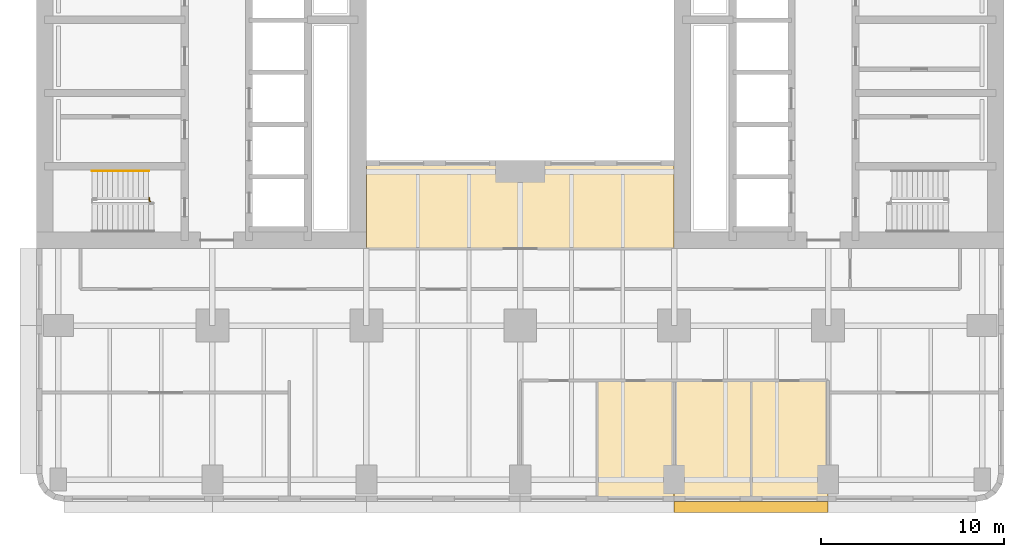
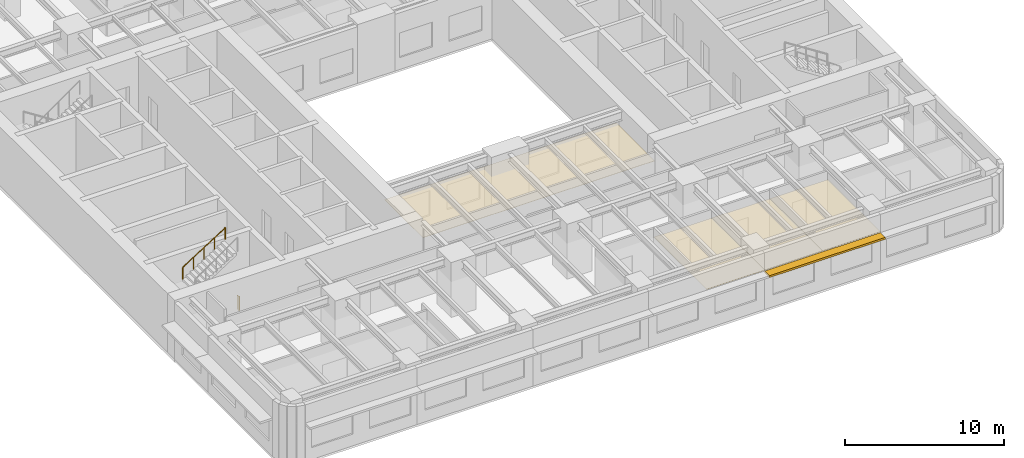
# One storey, part 10 of 14: 4 coverings, 2 railings, 1 shading device.
"""IFC4 building model written with IfcOpenShell, lengths in metres."""

from ifc_helpers import new_model, si_unit, direction, frame, origin, origin_2d, place, context, subcontext, project, spatial, polyline, rectangle, circle, outline, extrude, material, layer, layer_set, type_object, element, save


model = new_model("IFC4")

# Units and contexts
model_context = context("Model", 3, precision=1e-05, world=origin(), true_north=direction((0.0, 1.0)))
body_context = subcontext(model_context, "Body", "Model", "MODEL_VIEW")
ifc_project = project(units=[si_unit("LENGTHUNIT", "METRE"), si_unit("AREAUNIT", "SQUARE_METRE"), si_unit("VOLUMEUNIT", "CUBIC_METRE"), si_unit("PLANEANGLEUNIT", "RADIAN"), si_unit("MASSUNIT", "GRAM", prefix="KILO")], contexts=[model_context])

# Site, building, storey
site_placement = place(None, origin())
site = spatial("IfcSite", under=ifc_project, at=site_placement, CompositionType="ELEMENT")
building_placement = place(site_placement, origin())
building = spatial("IfcBuilding", under=site, at=building_placement, Name="Claustro Exchange Tower", CompositionType="ELEMENT")
storey_placement = place(building_placement, frame((0.0, 0.0, 36.89990234375)))
storey = spatial("IfcBuildingStorey", under=building, at=storey_placement, Name="L08", CompositionType="ELEMENT", Elevation=36.89990234375)

# Coverings
ifc_material_1 = material(Name="Gypsum board ceiling", Category="gypsum board")
ifc_layer_1 = layer(ifc_material_1, 0.02490234375)
ifc_layer_set_1 = layer_set([ifc_layer_1], Name="Gypsum board ceiling")
covering_type = type_object("IfcCoveringType", Name="CL2 plasterboard ceiling", PredefinedType="CEILING", material=ifc_layer_set_1)
covering_1_placement = place(storey_placement, frame((0.0, 0.0, 3.0)))
element("IfcCovering", 1, at=covering_1_placement, inside=storey, type_object=covering_type, Name="Ceiling CL2 L08-04", PredefinedType="CEILING", context=body_context, shape_type="SweptSolid", body=[
    extrude(outline(polyline([(29.39990234375, -1.199951171875), (33.60009765625, -1.199951171875), (33.60009765625, 5.39990234375), (29.39990234375, 5.39990234375), (29.39990234375, -1.199951171875)])), origin(), (0.0, 0.0, 1.0), 0.025146484375),
])
covering_2_placement = place(storey_placement, frame((0.0, 0.0, 3.0)))
element("IfcCovering", 2, at=covering_2_placement, inside=storey, type_object=covering_type, Name="Ceiling CL2 L08-05", PredefinedType="CEILING", context=body_context, shape_type="SweptSolid", body=[
    extrude(outline(polyline([(33.60009765625, -1.199951171875), (37.800048828125, -1.199951171875), (37.800048828125, 5.39990234375), (33.60009765625, 5.39990234375), (33.60009765625, -1.199951171875)])), origin(), (0.0, 0.0, 1.0), 0.025146484375),
])
covering_3_placement = place(storey_placement, frame((0.0, 0.0, 3.0)))
element("IfcCovering", 3, at=covering_3_placement, inside=storey, type_object=covering_type, Name="Ceiling CL2 L08-06", PredefinedType="CEILING", context=body_context, shape_type="SweptSolid", body=[
    extrude(outline(polyline([(37.800048828125, -1.199951171875), (42.0, -1.199951171875), (42.0, 5.39990234375), (37.800048828125, 5.39990234375), (37.800048828125, -1.199951171875)])), origin(), (0.0, 0.0, 1.0), 0.025146484375),
])
covering_4_placement = place(storey_placement, frame((0.0, 0.0, 3.0)))
element("IfcCovering", 4, at=covering_4_placement, inside=storey, type_object=covering_type, Name="Ceiling CL2 L08-10", PredefinedType="CEILING", context=body_context, shape_type="SweptSolid", body=[
    extrude(outline(polyline([(16.800048828125, 17.39990234375), (16.800048828125, 12.60009765625), (33.60009765625, 12.60009765625), (33.60009765625, 17.39990234375), (16.800048828125, 17.39990234375)])), origin(), (0.0, 0.0, 1.0), 0.025146484375),
])

# Railings
ifc_material_2 = material(Name="Steel balustrade, painted", Category="steel")
railing_type_1 = type_object("IfcRailingType", Name="GR2 1100 steel stair guard", PredefinedType="GUARDRAIL", material=ifc_material_2)
railing_1_placement = place(storey_placement, frame((5.0, 15.169921875, 0.0)))
element("IfcRailing", 5, at=railing_1_placement, inside=storey, type_object=railing_type_1, Name="Stair guard GR2 STWA L08", PredefinedType="GUARDRAIL", context=body_context, shape_type="SweptSolid", body=[
    extrude(circle(Radius=0.02392578125, at=origin_2d()), frame((0.0, 0.0, 1.076171875), z_axis=(0.0, 1.0, 0.0), x_axis=(-1.0, 0.0, 0.0)), (0.0, 0.0, 1.0), 0.030029296875),
    extrude(circle(Radius=0.02392578125, at=origin_2d()), frame((0.0, 0.030029296875, 1.076171875), z_axis=(-1.0, 0.0, 0.0), x_axis=(0.0, -1.0, 0.0)), (0.0, 0.0, 1.0), 0.054931640625),
    extrude(circle(Radius=0.02392578125, at=origin_2d()), frame((-0.054931640625, 0.030029296875, 1.076171875), z_axis=(0.0, 1.0, 0.0), x_axis=(-1.0, 0.0, 0.0)), (0.0, 0.0, 1.0), 0.179931640625),
    extrude(circle(Radius=0.02099609375, at=origin_2d()), origin(), (0.0, 0.0, 1.0), 1.052001953125),
    extrude(circle(Radius=0.02099609375, at=origin_2d()), frame((0.0, 0.030029296875, 0.0)), (0.0, 0.0, 1.0), 1.052001953125),
    extrude(circle(Radius=0.02099609375, at=origin_2d()), frame((-0.054931640625, 0.030029296875, 0.0)), (0.0, 0.0, 1.0), 1.052001953125),
    extrude(circle(Radius=0.02099609375, at=origin_2d()), frame((-0.054931640625, 0.2099609375, 0.0)), (0.0, 0.0, 1.0), 1.052001953125),
])
ifc_material_3 = material(Name="Stainless steel tube", Category="steel")
railing_type_2 = type_object("IfcRailingType", Name="HR1 900 stair handrail", PredefinedType="HANDRAIL", material=ifc_material_3)
railing_2_placement = place(storey_placement, frame((1.840087890625, 16.840087890625, 2.52001953125)))
element("IfcRailing", 6, at=railing_2_placement, inside=storey, type_object=railing_type_2, Name="Handrail HR1 stair STWA L08", PredefinedType="HANDRAIL", context=body_context, shape_type="SweptSolid", body=[
    extrude(circle(Radius=0.02392578125, at=origin_2d()), frame((0.0, 0.0, 0.8759765625), z_axis=(0.841167642724, 0.0, 0.540774441735), x_axis=(0.0, 1.0, 0.0)), (0.0, 0.0, 1.0), 3.661376953125),
    extrude(circle(Radius=0.02099609375, at=origin_2d()), origin(), (0.0, 0.0, 1.0), 0.851806640625),
    extrude(circle(Radius=0.02099609375, at=origin_2d()), frame((0.77001953125, 0.0, 0.4951171875)), (0.0, 0.0, 1.0), 0.851806640625),
    extrude(circle(Radius=0.02099609375, at=origin_2d()), frame((1.5400390625, 0.0, 0.989990234375)), (0.0, 0.0, 1.0), 0.851806640625),
    extrude(circle(Radius=0.02099609375, at=origin_2d()), frame((2.309814453125, 0.0, 1.48486328125)), (0.0, 0.0, 1.0), 0.851806640625),
    extrude(circle(Radius=0.02099609375, at=origin_2d()), frame((3.079833984375, 0.0, 1.97998046875)), (0.0, 0.0, 1.0), 0.851806640625),
])

# Shading device
ifc_material_4 = material(Name="Concrete HA-40 (C40/50), precast, white cement, acid-etched", Category="concrete")
ifc_layer_2 = layer(ifc_material_4, 0.14990234375)
ifc_layer_set_2 = layer_set([ifc_layer_2], Name="Concrete HA-40 (C40/50), precast, white cement, acid-etched")
shading_device_type = type_object("IfcShadingDeviceType", Name="SS1 600 precast concrete SUNSHADE", PredefinedType="SHUTTER", material=ifc_layer_set_2)
shading_device_placement = place(storey_placement, frame((37.800048828125, -1.5, 2.800048828125), z_axis=(0.0, 0.0, 1.0), x_axis=(-1.0, 0.0, 0.0)))
element("IfcShadingDevice", 7, at=shading_device_placement, inside=storey, type_object=shading_device_type, Name="Precast SUNSHADE SS1 L08", PredefinedType="SHUTTER", context=body_context, shape_type="SweptSolid", body=[
    extrude(rectangle(XDim=8.39990234375, YDim=0.60009765625, at=origin_2d()), origin(), (0.0, 0.0, 1.0), 0.14990234375),
])

save(model, "model.ifc")
